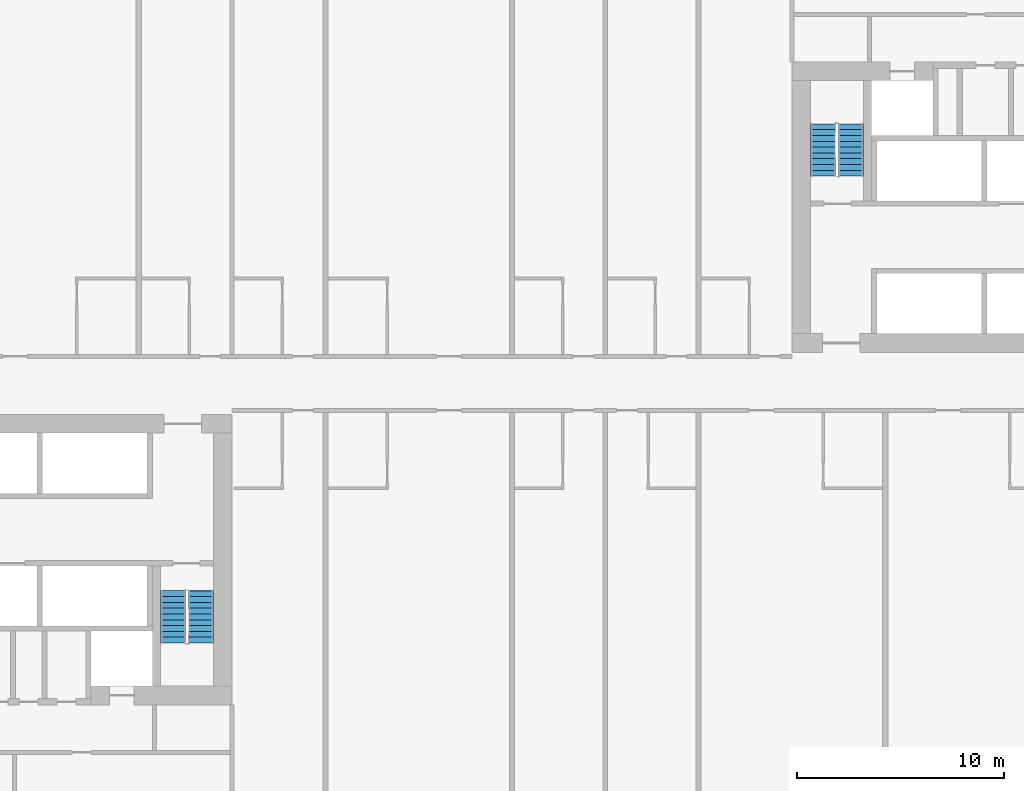
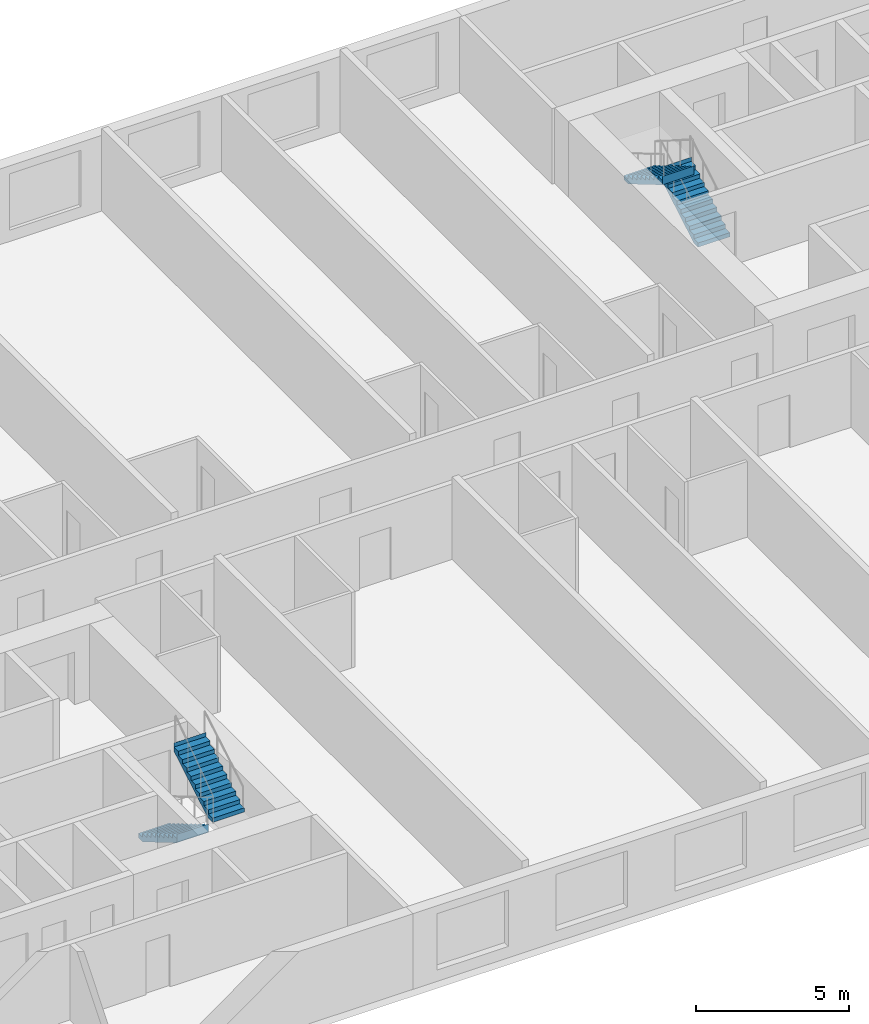
# One storey, part 10 of 12: 4 stair flights, 2 elements without a shape of their own.
"""IFC4 building model written with IfcOpenShell, lengths in metres."""

from ifc_helpers import new_model, si_unit, direction, frame, origin, place, context, subcontext, project, spatial, faceted_brep, material, type_object, element, aggregate, save


model = new_model("IFC4")

# Units and contexts
model_context = context("Model", 3, precision=1e-05, world=origin(), true_north=direction((0.0, 1.0)))
body_context = subcontext(model_context, "Body", "Model", "MODEL_VIEW")
ifc_project = project(units=[si_unit("LENGTHUNIT", "METRE"), si_unit("AREAUNIT", "SQUARE_METRE"), si_unit("VOLUMEUNIT", "CUBIC_METRE"), si_unit("PLANEANGLEUNIT", "RADIAN"), si_unit("MASSUNIT", "GRAM", prefix="KILO")], contexts=[model_context])

# Site, building, storey
site_placement = place(None, origin())
site = spatial("IfcSite", under=ifc_project, at=site_placement, CompositionType="ELEMENT")
building_placement = place(site_placement, origin())
building = spatial("IfcBuilding", under=site, at=building_placement, Name="Kajstack Hotel Tower", CompositionType="ELEMENT")
storey_placement = place(building_placement, frame((0.0, 0.0, 63.300048828125)))
storey = spatial("IfcBuildingStorey", under=building, at=storey_placement, Name="L10", CompositionType="ELEMENT", Elevation=63.300048828125)

# Stair, stair flights
ifc_material = material(Name="Concrete C40/50", Category="concrete")
stair_type = type_object("IfcStairType", Name="Exit stair 1200", PredefinedType="HALF_TURN_STAIR", material=ifc_material)
stair_1_placement = place(storey_placement, origin())
stair_1 = element("IfcStair", 1, at=stair_1_placement, inside=storey, type_object=stair_type, Name="L10 stair W2", PredefinedType="HALF_TURN_STAIR")
stair_flight_type = type_object("IfcStairFlightType", Name="Exit stair flight 1200", PredefinedType="STRAIGHT", material=ifc_material)
stair_flight_1_placement = place(storey_placement, frame((-16.35009765625, -10.0, 0.0), z_axis=(0.0, 0.0, 1.0), x_axis=(0.0, -1.0, 0.0)))
stair_flight_1 = element("IfcStairFlight", 2, at=stair_flight_1_placement, type_object=stair_flight_type, Name="W2 flight 1", NumberOfRisers=10, NumberOfTreads=9, PredefinedType="STRAIGHT", RiserHeight=0.165, TreadLength=0.28, context=body_context, shape_type="Brep", body=[
    faceted_brep([(0.295654296875, -0.60009765625, 0.0), (2.5205078125, -0.60009765625, 1.31103515625), (2.5205078125, -0.60009765625, 1.64990234375), (2.52001953125, -0.60009765625, 1.64990234375), (2.52001953125, -0.60009765625, 1.485107421875), (2.239990234375, -0.60009765625, 1.485107421875), (2.239990234375, -0.60009765625, 1.320068359375), (1.9599609375, -0.60009765625, 1.320068359375), (1.9599609375, -0.60009765625, 1.155029296875), (1.679931640625, -0.60009765625, 1.155029296875), (1.679931640625, -0.60009765625, 0.989990234375), (1.39990234375, -0.60009765625, 0.989990234375), (1.39990234375, -0.60009765625, 0.824951171875), (1.1201171875, -0.60009765625, 0.824951171875), (1.1201171875, -0.60009765625, 0.659912109375), (0.840087890625, -0.60009765625, 0.659912109375), (0.840087890625, -0.60009765625, 0.4951171875), (0.56005859375, -0.60009765625, 0.4951171875), (0.56005859375, -0.60009765625, 0.330078125), (0.280029296875, -0.60009765625, 0.330078125), (0.280029296875, -0.60009765625, 0.1650390625), (-0.00048828125, -0.60009765625, 0.1650390625), (-0.00048828125, -0.60009765625, 0.0), (-0.00048828125, 0.60009765625, 0.0), (-0.00048828125, 0.60009765625, 0.1650390625), (0.280029296875, 0.60009765625, 0.1650390625), (0.280029296875, 0.60009765625, 0.330078125), (0.56005859375, 0.60009765625, 0.330078125), (0.56005859375, 0.60009765625, 0.4951171875), (0.840087890625, 0.60009765625, 0.4951171875), (0.840087890625, 0.60009765625, 0.659912109375), (1.1201171875, 0.60009765625, 0.659912109375), (1.1201171875, 0.60009765625, 0.824951171875), (1.39990234375, 0.60009765625, 0.824951171875), (1.39990234375, 0.60009765625, 0.989990234375), (1.679931640625, 0.60009765625, 0.989990234375), (1.679931640625, 0.60009765625, 1.155029296875), (1.9599609375, 0.60009765625, 1.155029296875), (1.9599609375, 0.60009765625, 1.320068359375), (2.239990234375, 0.60009765625, 1.320068359375), (2.239990234375, 0.60009765625, 1.485107421875), (2.52001953125, 0.60009765625, 1.485107421875), (2.52001953125, 0.60009765625, 1.64990234375), (2.5205078125, 0.60009765625, 1.64990234375), (2.5205078125, 0.60009765625, 1.31103515625), (0.295654296875, 0.60009765625, 0.0), (-0.00048828125, -0.300048828125, 0.1650390625), (-0.00048828125, 0.0, 0.1650390625), (-0.00048828125, 0.300048828125, 0.1650390625), (-0.00048828125, 0.300048828125, 0.0), (-0.00048828125, 0.0, 0.0), (-0.00048828125, -0.300048828125, 0.0), (0.280029296875, -0.300048828125, 0.1650390625), (0.280029296875, 0.0, 0.1650390625), (0.280029296875, 0.300048828125, 0.1650390625), (0.280029296875, -0.300048828125, 0.330078125), (0.280029296875, 0.0, 0.330078125), (0.280029296875, 0.300048828125, 0.330078125), (0.56005859375, -0.300048828125, 0.330078125), (0.56005859375, 0.0, 0.330078125), (0.56005859375, 0.300048828125, 0.330078125), (0.56005859375, -0.300048828125, 0.4951171875), (0.56005859375, 0.0, 0.4951171875), (0.56005859375, 0.300048828125, 0.4951171875), (0.840087890625, -0.300048828125, 0.4951171875), (0.840087890625, 0.0, 0.4951171875), (0.840087890625, 0.300048828125, 0.4951171875), (0.840087890625, -0.300048828125, 0.659912109375), (0.840087890625, 0.0, 0.659912109375), (0.840087890625, 0.300048828125, 0.659912109375), (1.1201171875, -0.300048828125, 0.659912109375), (1.1201171875, 0.0, 0.659912109375), (1.1201171875, 0.300048828125, 0.659912109375), (1.1201171875, -0.300048828125, 0.824951171875), (1.1201171875, 0.0, 0.824951171875), (1.1201171875, 0.300048828125, 0.824951171875), (1.39990234375, -0.300048828125, 0.824951171875), (1.39990234375, 0.0, 0.824951171875), (1.39990234375, 0.300048828125, 0.824951171875), (1.39990234375, -0.300048828125, 0.989990234375), (1.39990234375, 0.0, 0.989990234375), (1.39990234375, 0.300048828125, 0.989990234375), (1.679931640625, -0.300048828125, 0.989990234375), (1.679931640625, 0.0, 0.989990234375), (1.679931640625, 0.300048828125, 0.989990234375), (1.679931640625, -0.300048828125, 1.155029296875), (1.679931640625, 0.0, 1.155029296875), (1.679931640625, 0.300048828125, 1.155029296875), (1.9599609375, -0.300048828125, 1.155029296875), (1.9599609375, 0.0, 1.155029296875), (1.9599609375, 0.300048828125, 1.155029296875), (1.9599609375, -0.300048828125, 1.320068359375), (1.9599609375, 0.0, 1.320068359375), (1.9599609375, 0.300048828125, 1.320068359375), (2.239990234375, -0.300048828125, 1.320068359375), (2.239990234375, 0.0, 1.320068359375), (2.239990234375, 0.300048828125, 1.320068359375), (2.239990234375, -0.300048828125, 1.485107421875), (2.239990234375, 0.0, 1.485107421875), (2.239990234375, 0.300048828125, 1.485107421875), (2.52001953125, -0.300048828125, 1.485107421875), (2.52001953125, 0.0, 1.485107421875), (2.52001953125, 0.300048828125, 1.485107421875), (2.52001953125, -0.300048828125, 1.64990234375), (2.52001953125, 0.0, 1.64990234375), (2.52001953125, 0.300048828125, 1.64990234375), (2.5205078125, -0.300048828125, 1.64990234375), (2.5205078125, 0.0, 1.64990234375), (2.5205078125, 0.300048828125, 1.64990234375), (2.5205078125, -0.300048828125, 1.31103515625), (2.5205078125, 0.0, 1.31103515625), (2.5205078125, 0.300048828125, 1.31103515625), (0.295654296875, -0.300048828125, 0.0), (0.295654296875, 0.0, 0.0), (0.295654296875, 0.300048828125, 0.0)], [[[0, 1, 2, 3, 4, 5, 6, 7, 8, 9, 10, 11, 12, 13, 14, 15, 16, 17, 18, 19, 20, 21, 22]], [[23, 24, 25, 26, 27, 28, 29, 30, 31, 32, 33, 34, 35, 36, 37, 38, 39, 40, 41, 42, 43, 44, 45]], [[21, 46, 47, 48, 24, 23, 49, 50, 51, 22]], [[20, 52, 53, 54, 25, 24, 48, 47, 46, 21]], [[19, 55, 56, 57, 26, 25, 54, 53, 52, 20]], [[18, 58, 59, 60, 27, 26, 57, 56, 55, 19]], [[17, 61, 62, 63, 28, 27, 60, 59, 58, 18]], [[16, 64, 65, 66, 29, 28, 63, 62, 61, 17]], [[15, 67, 68, 69, 30, 29, 66, 65, 64, 16]], [[14, 70, 71, 72, 31, 30, 69, 68, 67, 15]], [[13, 73, 74, 75, 32, 31, 72, 71, 70, 14]], [[12, 76, 77, 78, 33, 32, 75, 74, 73, 13]], [[11, 79, 80, 81, 34, 33, 78, 77, 76, 12]], [[10, 82, 83, 84, 35, 34, 81, 80, 79, 11]], [[9, 85, 86, 87, 36, 35, 84, 83, 82, 10]], [[8, 88, 89, 90, 37, 36, 87, 86, 85, 9]], [[7, 91, 92, 93, 38, 37, 90, 89, 88, 8]], [[6, 94, 95, 96, 39, 38, 93, 92, 91, 7]], [[5, 97, 98, 99, 40, 39, 96, 95, 94, 6]], [[4, 100, 101, 102, 41, 40, 99, 98, 97, 5]], [[3, 103, 104, 105, 42, 41, 102, 101, 100, 4]], [[2, 106, 107, 108, 43, 42, 105, 104, 103, 3]], [[1, 109, 110, 111, 44, 43, 108, 107, 106, 2]], [[0, 112, 113, 114, 45, 44, 111, 110, 109, 1]], [[22, 51, 50, 49, 23, 45, 114, 113, 112, 0]]]),
])
stair_flight_2_placement = place(storey_placement, frame((-15.0, -12.52001953125, 1.64990234375), z_axis=(0.0, 0.0, 1.0), x_axis=(0.0, 1.0, 0.0)))
stair_flight_2 = element("IfcStairFlight", 3, at=stair_flight_2_placement, type_object=stair_flight_type, Name="W2 flight 2", NumberOfRisers=10, NumberOfTreads=9, PredefinedType="STRAIGHT", RiserHeight=0.165, TreadLength=0.28, context=body_context, shape_type="Brep", body=[
    faceted_brep([(0.295654296875, -0.60009765625, 0.0), (2.5205078125, -0.60009765625, 1.31103515625), (2.5205078125, -0.60009765625, 1.64990234375), (2.52001953125, -0.60009765625, 1.64990234375), (2.52001953125, -0.60009765625, 1.485107421875), (2.239990234375, -0.60009765625, 1.485107421875), (2.239990234375, -0.60009765625, 1.320068359375), (1.9599609375, -0.60009765625, 1.320068359375), (1.9599609375, -0.60009765625, 1.155029296875), (1.679931640625, -0.60009765625, 1.155029296875), (1.679931640625, -0.60009765625, 0.989990234375), (1.39990234375, -0.60009765625, 0.989990234375), (1.39990234375, -0.60009765625, 0.824951171875), (1.1201171875, -0.60009765625, 0.824951171875), (1.1201171875, -0.60009765625, 0.659912109375), (0.840087890625, -0.60009765625, 0.659912109375), (0.840087890625, -0.60009765625, 0.4951171875), (0.56005859375, -0.60009765625, 0.4951171875), (0.56005859375, -0.60009765625, 0.330078125), (0.280029296875, -0.60009765625, 0.330078125), (0.280029296875, -0.60009765625, 0.1650390625), (-0.00048828125, -0.60009765625, 0.1650390625), (-0.00048828125, -0.60009765625, 0.0), (-0.00048828125, 0.60009765625, 0.0), (-0.00048828125, 0.60009765625, 0.1650390625), (0.280029296875, 0.60009765625, 0.1650390625), (0.280029296875, 0.60009765625, 0.330078125), (0.56005859375, 0.60009765625, 0.330078125), (0.56005859375, 0.60009765625, 0.4951171875), (0.840087890625, 0.60009765625, 0.4951171875), (0.840087890625, 0.60009765625, 0.659912109375), (1.1201171875, 0.60009765625, 0.659912109375), (1.1201171875, 0.60009765625, 0.824951171875), (1.39990234375, 0.60009765625, 0.824951171875), (1.39990234375, 0.60009765625, 0.989990234375), (1.679931640625, 0.60009765625, 0.989990234375), (1.679931640625, 0.60009765625, 1.155029296875), (1.9599609375, 0.60009765625, 1.155029296875), (1.9599609375, 0.60009765625, 1.320068359375), (2.239990234375, 0.60009765625, 1.320068359375), (2.239990234375, 0.60009765625, 1.485107421875), (2.52001953125, 0.60009765625, 1.485107421875), (2.52001953125, 0.60009765625, 1.64990234375), (2.5205078125, 0.60009765625, 1.64990234375), (2.5205078125, 0.60009765625, 1.31103515625), (0.295654296875, 0.60009765625, 0.0), (-0.00048828125, -0.300048828125, 0.1650390625), (-0.00048828125, 0.0, 0.1650390625), (-0.00048828125, 0.300048828125, 0.1650390625), (-0.00048828125, 0.300048828125, 0.0), (-0.00048828125, 0.0, 0.0), (-0.00048828125, -0.300048828125, 0.0), (0.280029296875, -0.300048828125, 0.1650390625), (0.280029296875, 0.0, 0.1650390625), (0.280029296875, 0.300048828125, 0.1650390625), (0.280029296875, -0.300048828125, 0.330078125), (0.280029296875, 0.0, 0.330078125), (0.280029296875, 0.300048828125, 0.330078125), (0.56005859375, -0.300048828125, 0.330078125), (0.56005859375, 0.0, 0.330078125), (0.56005859375, 0.300048828125, 0.330078125), (0.56005859375, -0.300048828125, 0.4951171875), (0.56005859375, 0.0, 0.4951171875), (0.56005859375, 0.300048828125, 0.4951171875), (0.840087890625, -0.300048828125, 0.4951171875), (0.840087890625, 0.0, 0.4951171875), (0.840087890625, 0.300048828125, 0.4951171875), (0.840087890625, -0.300048828125, 0.659912109375), (0.840087890625, 0.0, 0.659912109375), (0.840087890625, 0.300048828125, 0.659912109375), (1.1201171875, -0.300048828125, 0.659912109375), (1.1201171875, 0.0, 0.659912109375), (1.1201171875, 0.300048828125, 0.659912109375), (1.1201171875, -0.300048828125, 0.824951171875), (1.1201171875, 0.0, 0.824951171875), (1.1201171875, 0.300048828125, 0.824951171875), (1.39990234375, -0.300048828125, 0.824951171875), (1.39990234375, 0.0, 0.824951171875), (1.39990234375, 0.300048828125, 0.824951171875), (1.39990234375, -0.300048828125, 0.989990234375), (1.39990234375, 0.0, 0.989990234375), (1.39990234375, 0.300048828125, 0.989990234375), (1.679931640625, -0.300048828125, 0.989990234375), (1.679931640625, 0.0, 0.989990234375), (1.679931640625, 0.300048828125, 0.989990234375), (1.679931640625, -0.300048828125, 1.155029296875), (1.679931640625, 0.0, 1.155029296875), (1.679931640625, 0.300048828125, 1.155029296875), (1.9599609375, -0.300048828125, 1.155029296875), (1.9599609375, 0.0, 1.155029296875), (1.9599609375, 0.300048828125, 1.155029296875), (1.9599609375, -0.300048828125, 1.320068359375), (1.9599609375, 0.0, 1.320068359375), (1.9599609375, 0.300048828125, 1.320068359375), (2.239990234375, -0.300048828125, 1.320068359375), (2.239990234375, 0.0, 1.320068359375), (2.239990234375, 0.300048828125, 1.320068359375), (2.239990234375, -0.300048828125, 1.485107421875), (2.239990234375, 0.0, 1.485107421875), (2.239990234375, 0.300048828125, 1.485107421875), (2.52001953125, -0.300048828125, 1.485107421875), (2.52001953125, 0.0, 1.485107421875), (2.52001953125, 0.300048828125, 1.485107421875), (2.52001953125, -0.300048828125, 1.64990234375), (2.52001953125, 0.0, 1.64990234375), (2.52001953125, 0.300048828125, 1.64990234375), (2.5205078125, -0.300048828125, 1.64990234375), (2.5205078125, 0.0, 1.64990234375), (2.5205078125, 0.300048828125, 1.64990234375), (2.5205078125, -0.300048828125, 1.31103515625), (2.5205078125, 0.0, 1.31103515625), (2.5205078125, 0.300048828125, 1.31103515625), (0.295654296875, -0.300048828125, 0.0), (0.295654296875, 0.0, 0.0), (0.295654296875, 0.300048828125, 0.0)], [[[0, 1, 2, 3, 4, 5, 6, 7, 8, 9, 10, 11, 12, 13, 14, 15, 16, 17, 18, 19, 20, 21, 22]], [[23, 24, 25, 26, 27, 28, 29, 30, 31, 32, 33, 34, 35, 36, 37, 38, 39, 40, 41, 42, 43, 44, 45]], [[21, 46, 47, 48, 24, 23, 49, 50, 51, 22]], [[20, 52, 53, 54, 25, 24, 48, 47, 46, 21]], [[19, 55, 56, 57, 26, 25, 54, 53, 52, 20]], [[18, 58, 59, 60, 27, 26, 57, 56, 55, 19]], [[17, 61, 62, 63, 28, 27, 60, 59, 58, 18]], [[16, 64, 65, 66, 29, 28, 63, 62, 61, 17]], [[15, 67, 68, 69, 30, 29, 66, 65, 64, 16]], [[14, 70, 71, 72, 31, 30, 69, 68, 67, 15]], [[13, 73, 74, 75, 32, 31, 72, 71, 70, 14]], [[12, 76, 77, 78, 33, 32, 75, 74, 73, 13]], [[11, 79, 80, 81, 34, 33, 78, 77, 76, 12]], [[10, 82, 83, 84, 35, 34, 81, 80, 79, 11]], [[9, 85, 86, 87, 36, 35, 84, 83, 82, 10]], [[8, 88, 89, 90, 37, 36, 87, 86, 85, 9]], [[7, 91, 92, 93, 38, 37, 90, 89, 88, 8]], [[6, 94, 95, 96, 39, 38, 93, 92, 91, 7]], [[5, 97, 98, 99, 40, 39, 96, 95, 94, 6]], [[4, 100, 101, 102, 41, 40, 99, 98, 97, 5]], [[3, 103, 104, 105, 42, 41, 102, 101, 100, 4]], [[2, 106, 107, 108, 43, 42, 105, 104, 103, 3]], [[1, 109, 110, 111, 44, 43, 108, 107, 106, 2]], [[0, 112, 113, 114, 45, 44, 111, 110, 109, 1]], [[22, 51, 50, 49, 23, 45, 114, 113, 112, 0]]]),
])
aggregate(stair_1, [stair_flight_1, stair_flight_2])

stair_2_placement = place(storey_placement, origin())
stair_2 = element("IfcStair", 4, at=stair_2_placement, inside=storey, type_object=stair_type, Name="L10 stair E2", PredefinedType="HALF_TURN_STAIR")
stair_flight_3_placement = place(storey_placement, frame((16.35009765625, 10.0, 0.0), z_axis=(0.0, 0.0, 1.0), x_axis=(0.0, 1.0, 0.0)))
stair_flight_3 = element("IfcStairFlight", 5, at=stair_flight_3_placement, type_object=stair_flight_type, Name="E2 flight 1", NumberOfRisers=10, NumberOfTreads=9, PredefinedType="STRAIGHT", RiserHeight=0.165, TreadLength=0.28, context=body_context, shape_type="Brep", body=[
    faceted_brep([(0.295654296875, -0.60009765625, 0.0), (2.5205078125, -0.60009765625, 1.31103515625), (2.5205078125, -0.60009765625, 1.64990234375), (2.52001953125, -0.60009765625, 1.64990234375), (2.52001953125, -0.60009765625, 1.485107421875), (2.239990234375, -0.60009765625, 1.485107421875), (2.239990234375, -0.60009765625, 1.320068359375), (1.9599609375, -0.60009765625, 1.320068359375), (1.9599609375, -0.60009765625, 1.155029296875), (1.679931640625, -0.60009765625, 1.155029296875), (1.679931640625, -0.60009765625, 0.989990234375), (1.39990234375, -0.60009765625, 0.989990234375), (1.39990234375, -0.60009765625, 0.824951171875), (1.1201171875, -0.60009765625, 0.824951171875), (1.1201171875, -0.60009765625, 0.659912109375), (0.840087890625, -0.60009765625, 0.659912109375), (0.840087890625, -0.60009765625, 0.4951171875), (0.56005859375, -0.60009765625, 0.4951171875), (0.56005859375, -0.60009765625, 0.330078125), (0.280029296875, -0.60009765625, 0.330078125), (0.280029296875, -0.60009765625, 0.1650390625), (-0.00048828125, -0.60009765625, 0.1650390625), (-0.00048828125, -0.60009765625, 0.0), (-0.00048828125, 0.60009765625, 0.0), (-0.00048828125, 0.60009765625, 0.1650390625), (0.280029296875, 0.60009765625, 0.1650390625), (0.280029296875, 0.60009765625, 0.330078125), (0.56005859375, 0.60009765625, 0.330078125), (0.56005859375, 0.60009765625, 0.4951171875), (0.840087890625, 0.60009765625, 0.4951171875), (0.840087890625, 0.60009765625, 0.659912109375), (1.1201171875, 0.60009765625, 0.659912109375), (1.1201171875, 0.60009765625, 0.824951171875), (1.39990234375, 0.60009765625, 0.824951171875), (1.39990234375, 0.60009765625, 0.989990234375), (1.679931640625, 0.60009765625, 0.989990234375), (1.679931640625, 0.60009765625, 1.155029296875), (1.9599609375, 0.60009765625, 1.155029296875), (1.9599609375, 0.60009765625, 1.320068359375), (2.239990234375, 0.60009765625, 1.320068359375), (2.239990234375, 0.60009765625, 1.485107421875), (2.52001953125, 0.60009765625, 1.485107421875), (2.52001953125, 0.60009765625, 1.64990234375), (2.5205078125, 0.60009765625, 1.64990234375), (2.5205078125, 0.60009765625, 1.31103515625), (0.295654296875, 0.60009765625, 0.0), (-0.00048828125, -0.300048828125, 0.1650390625), (-0.00048828125, 0.0, 0.1650390625), (-0.00048828125, 0.300048828125, 0.1650390625), (-0.00048828125, 0.300048828125, 0.0), (-0.00048828125, 0.0, 0.0), (-0.00048828125, -0.300048828125, 0.0), (0.280029296875, -0.300048828125, 0.1650390625), (0.280029296875, 0.0, 0.1650390625), (0.280029296875, 0.300048828125, 0.1650390625), (0.280029296875, -0.300048828125, 0.330078125), (0.280029296875, 0.0, 0.330078125), (0.280029296875, 0.300048828125, 0.330078125), (0.56005859375, -0.300048828125, 0.330078125), (0.56005859375, 0.0, 0.330078125), (0.56005859375, 0.300048828125, 0.330078125), (0.56005859375, -0.300048828125, 0.4951171875), (0.56005859375, 0.0, 0.4951171875), (0.56005859375, 0.300048828125, 0.4951171875), (0.840087890625, -0.300048828125, 0.4951171875), (0.840087890625, 0.0, 0.4951171875), (0.840087890625, 0.300048828125, 0.4951171875), (0.840087890625, -0.300048828125, 0.659912109375), (0.840087890625, 0.0, 0.659912109375), (0.840087890625, 0.300048828125, 0.659912109375), (1.1201171875, -0.300048828125, 0.659912109375), (1.1201171875, 0.0, 0.659912109375), (1.1201171875, 0.300048828125, 0.659912109375), (1.1201171875, -0.300048828125, 0.824951171875), (1.1201171875, 0.0, 0.824951171875), (1.1201171875, 0.300048828125, 0.824951171875), (1.39990234375, -0.300048828125, 0.824951171875), (1.39990234375, 0.0, 0.824951171875), (1.39990234375, 0.300048828125, 0.824951171875), (1.39990234375, -0.300048828125, 0.989990234375), (1.39990234375, 0.0, 0.989990234375), (1.39990234375, 0.300048828125, 0.989990234375), (1.679931640625, -0.300048828125, 0.989990234375), (1.679931640625, 0.0, 0.989990234375), (1.679931640625, 0.300048828125, 0.989990234375), (1.679931640625, -0.300048828125, 1.155029296875), (1.679931640625, 0.0, 1.155029296875), (1.679931640625, 0.300048828125, 1.155029296875), (1.9599609375, -0.300048828125, 1.155029296875), (1.9599609375, 0.0, 1.155029296875), (1.9599609375, 0.300048828125, 1.155029296875), (1.9599609375, -0.300048828125, 1.320068359375), (1.9599609375, 0.0, 1.320068359375), (1.9599609375, 0.300048828125, 1.320068359375), (2.239990234375, -0.300048828125, 1.320068359375), (2.239990234375, 0.0, 1.320068359375), (2.239990234375, 0.300048828125, 1.320068359375), (2.239990234375, -0.300048828125, 1.485107421875), (2.239990234375, 0.0, 1.485107421875), (2.239990234375, 0.300048828125, 1.485107421875), (2.52001953125, -0.300048828125, 1.485107421875), (2.52001953125, 0.0, 1.485107421875), (2.52001953125, 0.300048828125, 1.485107421875), (2.52001953125, -0.300048828125, 1.64990234375), (2.52001953125, 0.0, 1.64990234375), (2.52001953125, 0.300048828125, 1.64990234375), (2.5205078125, -0.300048828125, 1.64990234375), (2.5205078125, 0.0, 1.64990234375), (2.5205078125, 0.300048828125, 1.64990234375), (2.5205078125, -0.300048828125, 1.31103515625), (2.5205078125, 0.0, 1.31103515625), (2.5205078125, 0.300048828125, 1.31103515625), (0.295654296875, -0.300048828125, 0.0), (0.295654296875, 0.0, 0.0), (0.295654296875, 0.300048828125, 0.0)], [[[0, 1, 2, 3, 4, 5, 6, 7, 8, 9, 10, 11, 12, 13, 14, 15, 16, 17, 18, 19, 20, 21, 22]], [[23, 24, 25, 26, 27, 28, 29, 30, 31, 32, 33, 34, 35, 36, 37, 38, 39, 40, 41, 42, 43, 44, 45]], [[21, 46, 47, 48, 24, 23, 49, 50, 51, 22]], [[20, 52, 53, 54, 25, 24, 48, 47, 46, 21]], [[19, 55, 56, 57, 26, 25, 54, 53, 52, 20]], [[18, 58, 59, 60, 27, 26, 57, 56, 55, 19]], [[17, 61, 62, 63, 28, 27, 60, 59, 58, 18]], [[16, 64, 65, 66, 29, 28, 63, 62, 61, 17]], [[15, 67, 68, 69, 30, 29, 66, 65, 64, 16]], [[14, 70, 71, 72, 31, 30, 69, 68, 67, 15]], [[13, 73, 74, 75, 32, 31, 72, 71, 70, 14]], [[12, 76, 77, 78, 33, 32, 75, 74, 73, 13]], [[11, 79, 80, 81, 34, 33, 78, 77, 76, 12]], [[10, 82, 83, 84, 35, 34, 81, 80, 79, 11]], [[9, 85, 86, 87, 36, 35, 84, 83, 82, 10]], [[8, 88, 89, 90, 37, 36, 87, 86, 85, 9]], [[7, 91, 92, 93, 38, 37, 90, 89, 88, 8]], [[6, 94, 95, 96, 39, 38, 93, 92, 91, 7]], [[5, 97, 98, 99, 40, 39, 96, 95, 94, 6]], [[4, 100, 101, 102, 41, 40, 99, 98, 97, 5]], [[3, 103, 104, 105, 42, 41, 102, 101, 100, 4]], [[2, 106, 107, 108, 43, 42, 105, 104, 103, 3]], [[1, 109, 110, 111, 44, 43, 108, 107, 106, 2]], [[0, 112, 113, 114, 45, 44, 111, 110, 109, 1]], [[22, 51, 50, 49, 23, 45, 114, 113, 112, 0]]]),
])
stair_flight_4_placement = place(storey_placement, frame((15.0, 12.52001953125, 1.64990234375), z_axis=(0.0, 0.0, 1.0), x_axis=(0.0, -1.0, 0.0)))
stair_flight_4 = element("IfcStairFlight", 6, at=stair_flight_4_placement, type_object=stair_flight_type, Name="E2 flight 2", NumberOfRisers=10, NumberOfTreads=9, PredefinedType="STRAIGHT", RiserHeight=0.165, TreadLength=0.28, context=body_context, shape_type="Brep", body=[
    faceted_brep([(0.295654296875, -0.60009765625, 0.0), (2.5205078125, -0.60009765625, 1.31103515625), (2.5205078125, -0.60009765625, 1.64990234375), (2.52001953125, -0.60009765625, 1.64990234375), (2.52001953125, -0.60009765625, 1.485107421875), (2.239990234375, -0.60009765625, 1.485107421875), (2.239990234375, -0.60009765625, 1.320068359375), (1.9599609375, -0.60009765625, 1.320068359375), (1.9599609375, -0.60009765625, 1.155029296875), (1.679931640625, -0.60009765625, 1.155029296875), (1.679931640625, -0.60009765625, 0.989990234375), (1.39990234375, -0.60009765625, 0.989990234375), (1.39990234375, -0.60009765625, 0.824951171875), (1.1201171875, -0.60009765625, 0.824951171875), (1.1201171875, -0.60009765625, 0.659912109375), (0.840087890625, -0.60009765625, 0.659912109375), (0.840087890625, -0.60009765625, 0.4951171875), (0.56005859375, -0.60009765625, 0.4951171875), (0.56005859375, -0.60009765625, 0.330078125), (0.280029296875, -0.60009765625, 0.330078125), (0.280029296875, -0.60009765625, 0.1650390625), (-0.00048828125, -0.60009765625, 0.1650390625), (-0.00048828125, -0.60009765625, 0.0), (-0.00048828125, 0.60009765625, 0.0), (-0.00048828125, 0.60009765625, 0.1650390625), (0.280029296875, 0.60009765625, 0.1650390625), (0.280029296875, 0.60009765625, 0.330078125), (0.56005859375, 0.60009765625, 0.330078125), (0.56005859375, 0.60009765625, 0.4951171875), (0.840087890625, 0.60009765625, 0.4951171875), (0.840087890625, 0.60009765625, 0.659912109375), (1.1201171875, 0.60009765625, 0.659912109375), (1.1201171875, 0.60009765625, 0.824951171875), (1.39990234375, 0.60009765625, 0.824951171875), (1.39990234375, 0.60009765625, 0.989990234375), (1.679931640625, 0.60009765625, 0.989990234375), (1.679931640625, 0.60009765625, 1.155029296875), (1.9599609375, 0.60009765625, 1.155029296875), (1.9599609375, 0.60009765625, 1.320068359375), (2.239990234375, 0.60009765625, 1.320068359375), (2.239990234375, 0.60009765625, 1.485107421875), (2.52001953125, 0.60009765625, 1.485107421875), (2.52001953125, 0.60009765625, 1.64990234375), (2.5205078125, 0.60009765625, 1.64990234375), (2.5205078125, 0.60009765625, 1.31103515625), (0.295654296875, 0.60009765625, 0.0), (-0.00048828125, -0.300048828125, 0.1650390625), (-0.00048828125, 0.0, 0.1650390625), (-0.00048828125, 0.300048828125, 0.1650390625), (-0.00048828125, 0.300048828125, 0.0), (-0.00048828125, 0.0, 0.0), (-0.00048828125, -0.300048828125, 0.0), (0.280029296875, -0.300048828125, 0.1650390625), (0.280029296875, 0.0, 0.1650390625), (0.280029296875, 0.300048828125, 0.1650390625), (0.280029296875, -0.300048828125, 0.330078125), (0.280029296875, 0.0, 0.330078125), (0.280029296875, 0.300048828125, 0.330078125), (0.56005859375, -0.300048828125, 0.330078125), (0.56005859375, 0.0, 0.330078125), (0.56005859375, 0.300048828125, 0.330078125), (0.56005859375, -0.300048828125, 0.4951171875), (0.56005859375, 0.0, 0.4951171875), (0.56005859375, 0.300048828125, 0.4951171875), (0.840087890625, -0.300048828125, 0.4951171875), (0.840087890625, 0.0, 0.4951171875), (0.840087890625, 0.300048828125, 0.4951171875), (0.840087890625, -0.300048828125, 0.659912109375), (0.840087890625, 0.0, 0.659912109375), (0.840087890625, 0.300048828125, 0.659912109375), (1.1201171875, -0.300048828125, 0.659912109375), (1.1201171875, 0.0, 0.659912109375), (1.1201171875, 0.300048828125, 0.659912109375), (1.1201171875, -0.300048828125, 0.824951171875), (1.1201171875, 0.0, 0.824951171875), (1.1201171875, 0.300048828125, 0.824951171875), (1.39990234375, -0.300048828125, 0.824951171875), (1.39990234375, 0.0, 0.824951171875), (1.39990234375, 0.300048828125, 0.824951171875), (1.39990234375, -0.300048828125, 0.989990234375), (1.39990234375, 0.0, 0.989990234375), (1.39990234375, 0.300048828125, 0.989990234375), (1.679931640625, -0.300048828125, 0.989990234375), (1.679931640625, 0.0, 0.989990234375), (1.679931640625, 0.300048828125, 0.989990234375), (1.679931640625, -0.300048828125, 1.155029296875), (1.679931640625, 0.0, 1.155029296875), (1.679931640625, 0.300048828125, 1.155029296875), (1.9599609375, -0.300048828125, 1.155029296875), (1.9599609375, 0.0, 1.155029296875), (1.9599609375, 0.300048828125, 1.155029296875), (1.9599609375, -0.300048828125, 1.320068359375), (1.9599609375, 0.0, 1.320068359375), (1.9599609375, 0.300048828125, 1.320068359375), (2.239990234375, -0.300048828125, 1.320068359375), (2.239990234375, 0.0, 1.320068359375), (2.239990234375, 0.300048828125, 1.320068359375), (2.239990234375, -0.300048828125, 1.485107421875), (2.239990234375, 0.0, 1.485107421875), (2.239990234375, 0.300048828125, 1.485107421875), (2.52001953125, -0.300048828125, 1.485107421875), (2.52001953125, 0.0, 1.485107421875), (2.52001953125, 0.300048828125, 1.485107421875), (2.52001953125, -0.300048828125, 1.64990234375), (2.52001953125, 0.0, 1.64990234375), (2.52001953125, 0.300048828125, 1.64990234375), (2.5205078125, -0.300048828125, 1.64990234375), (2.5205078125, 0.0, 1.64990234375), (2.5205078125, 0.300048828125, 1.64990234375), (2.5205078125, -0.300048828125, 1.31103515625), (2.5205078125, 0.0, 1.31103515625), (2.5205078125, 0.300048828125, 1.31103515625), (0.295654296875, -0.300048828125, 0.0), (0.295654296875, 0.0, 0.0), (0.295654296875, 0.300048828125, 0.0)], [[[0, 1, 2, 3, 4, 5, 6, 7, 8, 9, 10, 11, 12, 13, 14, 15, 16, 17, 18, 19, 20, 21, 22]], [[23, 24, 25, 26, 27, 28, 29, 30, 31, 32, 33, 34, 35, 36, 37, 38, 39, 40, 41, 42, 43, 44, 45]], [[21, 46, 47, 48, 24, 23, 49, 50, 51, 22]], [[20, 52, 53, 54, 25, 24, 48, 47, 46, 21]], [[19, 55, 56, 57, 26, 25, 54, 53, 52, 20]], [[18, 58, 59, 60, 27, 26, 57, 56, 55, 19]], [[17, 61, 62, 63, 28, 27, 60, 59, 58, 18]], [[16, 64, 65, 66, 29, 28, 63, 62, 61, 17]], [[15, 67, 68, 69, 30, 29, 66, 65, 64, 16]], [[14, 70, 71, 72, 31, 30, 69, 68, 67, 15]], [[13, 73, 74, 75, 32, 31, 72, 71, 70, 14]], [[12, 76, 77, 78, 33, 32, 75, 74, 73, 13]], [[11, 79, 80, 81, 34, 33, 78, 77, 76, 12]], [[10, 82, 83, 84, 35, 34, 81, 80, 79, 11]], [[9, 85, 86, 87, 36, 35, 84, 83, 82, 10]], [[8, 88, 89, 90, 37, 36, 87, 86, 85, 9]], [[7, 91, 92, 93, 38, 37, 90, 89, 88, 8]], [[6, 94, 95, 96, 39, 38, 93, 92, 91, 7]], [[5, 97, 98, 99, 40, 39, 96, 95, 94, 6]], [[4, 100, 101, 102, 41, 40, 99, 98, 97, 5]], [[3, 103, 104, 105, 42, 41, 102, 101, 100, 4]], [[2, 106, 107, 108, 43, 42, 105, 104, 103, 3]], [[1, 109, 110, 111, 44, 43, 108, 107, 106, 2]], [[0, 112, 113, 114, 45, 44, 111, 110, 109, 1]], [[22, 51, 50, 49, 23, 45, 114, 113, 112, 0]]]),
])
aggregate(stair_2, [stair_flight_3, stair_flight_4])

save(model, "model.ifc")
